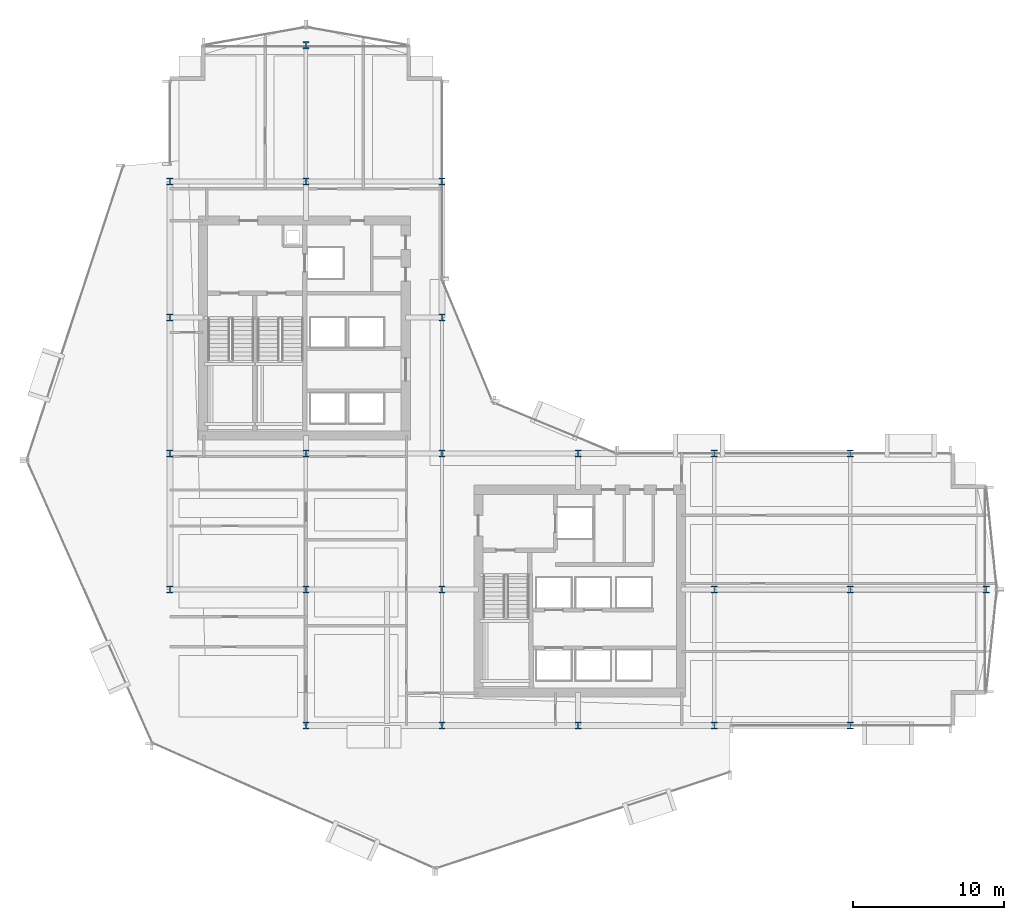
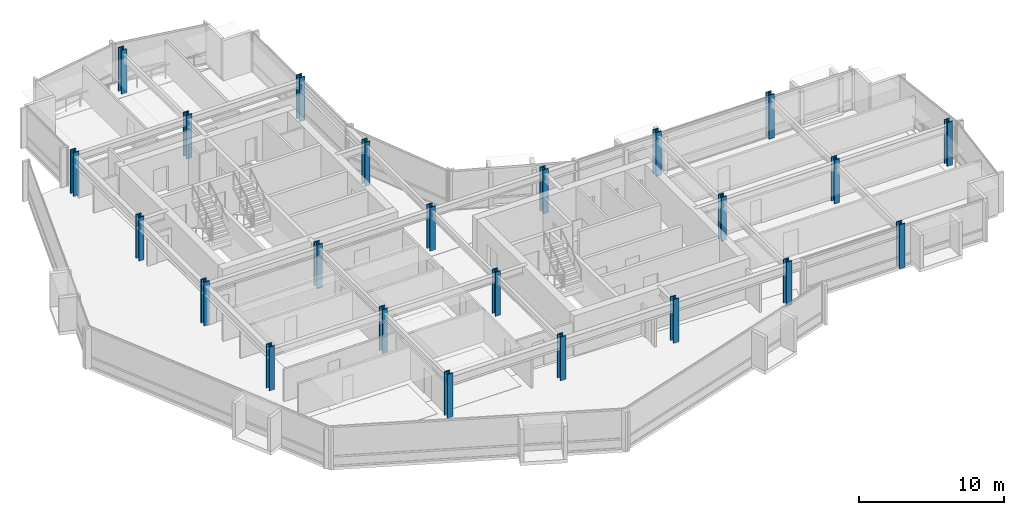
# One storey, part 1 of 35: 23 columns.
"""IFC4 building model written with IfcOpenShell, lengths in metres."""

from ifc_helpers import new_model, si_unit, direction, frame, origin, origin_2d, place, context, subcontext, project, spatial, i_section, extrude, material, material_profile, profile_set, type_object, element, save


model = new_model("IFC4")

# Units and contexts
model_context = context("Model", 3, precision=1e-05, world=origin(), true_north=direction((0.0, 1.0)))
body_context = subcontext(model_context, "Body", "Model", "MODEL_VIEW")
ifc_project = project(units=[si_unit("LENGTHUNIT", "METRE"), si_unit("AREAUNIT", "SQUARE_METRE"), si_unit("VOLUMEUNIT", "CUBIC_METRE"), si_unit("PLANEANGLEUNIT", "RADIAN"), si_unit("MASSUNIT", "GRAM", prefix="KILO")], contexts=[model_context])

# Site, building, storey
site_placement = place(None, origin())
site = spatial("IfcSite", under=ifc_project, at=site_placement, CompositionType="ELEMENT")
building_placement = place(site_placement, origin())
building = spatial("IfcBuilding", under=site, at=building_placement, Name="Solvaryn Broadcast Tower", CompositionType="ELEMENT")
storey_placement = place(building_placement, frame((0.0, 0.0, 80.39990234375)))
storey = spatial("IfcBuildingStorey", under=building, at=storey_placement, Name="L19", CompositionType="ELEMENT", Elevation=80.39990234375)

# Columns
ifc_material_1 = material(Name="Steel ASTM A913 Grade 65", Category="steel")
ifc_material_profile_1 = material_profile(ifc_material_1, i_section(OverallWidth=0.424072265625, OverallDepth=0.47412109375, WebThickness=0.047607421875, FlangeThickness=0.0771484375, FilletRadius=0.014892578125, at=origin_2d()))
ifc_profile_set_1 = profile_set([ifc_material_profile_1], Name="Steel ASTM A913 Grade 65")
column_type_1 = type_object("IfcColumnType", Name="COL-C04E-W14X426", PredefinedType="COLUMN", material=ifc_profile_set_1)
for number, where, z_axis, x_axis, name in (
    (1, (9.0, 18.0, 0.0), (0.0, 0.0, 1.0), (1.0, 0.0, 0.0), "L19 Column (9.0, 18.0)"),
    (2, (9.0, 27.0, 0.0), (0.0, 0.0, 1.0), (1.0, 0.0, 0.0), "L19 Column (9.0, 27.0)"),
    (3, (9.0, 36.0, 0.0), (0.0, 0.0, 1.0), (1.0, 0.0, 0.0), "L19 Column (9.0, 36.0)"),
    (4, (9.0, 45.0, 0.0), (0.0, 0.0, 1.0), (1.0, 0.0, 0.0), "L19 Column (9.0, 45.0)"),
    (5, (18.0, 9.0, 0.0), (0.0, 0.0, 1.0), (1.0, 0.0, 0.0), "L19 Column (18.0, 9.0)"),
    (6, (18.0, 54.0, 0.0), (0.0, 0.0, 1.0), (1.0, 0.0, 0.0), "L19 Column (18.0, 54.0)"),
    (7, (27.0, 9.0, 0.0), (0.0, 0.0, 1.0), (1.0, 0.0, 0.0), "L19 Column (27.0, 9.0)"),
    (8, (27.0, 36.0, 0.0), (0.0, 0.0, 1.0), (1.0, 0.0, 0.0), "L19 Column (27.0, 36.0)"),
    (9, (27.0, 45.0, 0.0), (0.0, 0.0, 1.0), (1.0, 0.0, 0.0), "L19 Column (27.0, 45.0)"),
    (10, (36.0, 9.0, 0.0), (0.0, 0.0, 1.0), (1.0, 0.0, 0.0), "L19 Column (36.0, 9.0)"),
    (11, (36.0, 27.0, 0.0), (0.0, 0.0, 1.0), (1.0, 0.0, 0.0), "L19 Column (36.0, 27.0)"),
    (12, (45.0, 9.0, 0.0), (0.0, 0.0, 1.0), (1.0, 0.0, 0.0), "L19 Column (45.0, 9.0)"),
    (13, (45.0, 27.0, 0.0), (0.0, 0.0, 1.0), (1.0, 0.0, 0.0), "L19 Column (45.0, 27.0)"),
    (14, (54.0, 9.0, 0.0), (0.0, 0.0, 1.0), (1.0, 0.0, 0.0), "L19 Column (54.0, 9.0)"),
    (15, (54.0, 27.0, 0.0), (0.0, 0.0, 1.0), (1.0, 0.0, 0.0), "L19 Column (54.0, 27.0)"),
    (16, (63.0, 18.0, 0.0), (0.0, 0.0, 1.0), (1.0, 0.0, 0.0), "L19 Column (63.0, 18.0)"),
):
    element("IfcColumn", number, at=place(storey_placement, frame(where, z_axis=z_axis, x_axis=x_axis)), inside=storey, type_object=column_type_1, Name=name, PredefinedType="COLUMN", context=body_context, shape_type="SweptSolid", body=[
        extrude(i_section(OverallWidth=0.424072265625, OverallDepth=0.47412109375, WebThickness=0.047607421875, FlangeThickness=0.0771484375, FilletRadius=0.014892578125, at=origin_2d()), origin(), (0.0, 0.0, 1.0), 3.7001953125),
    ])
ifc_material_2 = material(Name="Steel ASTM A913 Grade 65", Category="steel")
ifc_material_profile_2 = material_profile(ifc_material_2, i_section(OverallWidth=0.424072265625, OverallDepth=0.47412109375, WebThickness=0.047607421875, FlangeThickness=0.0771484375, FilletRadius=0.014892578125, at=origin_2d()))
ifc_profile_set_2 = profile_set([ifc_material_profile_2], Name="Steel ASTM A913 Grade 65")
column_type_2 = type_object("IfcColumnType", Name="COL-C04I-W14X426", PredefinedType="COLUMN", material=ifc_profile_set_2)
for number, where, z_axis, x_axis, name in (
    (17, (18.0, 18.0, 0.0), (0.0, 0.0, 1.0), (1.0, 0.0, 0.0), "L19 Column (18.0, 18.0)"),
    (18, (18.0, 27.0, 0.0), (0.0, 0.0, 1.0), (1.0, 0.0, 0.0), "L19 Column (18.0, 27.0)"),
    (19, (18.0, 45.0, 0.0), (0.0, 0.0, 1.0), (1.0, 0.0, 0.0), "L19 Column (18.0, 45.0)"),
    (20, (27.0, 18.0, 0.0), (0.0, 0.0, 1.0), (1.0, 0.0, 0.0), "L19 Column (27.0, 18.0)"),
    (21, (27.0, 27.0, 0.0), (0.0, 0.0, 1.0), (1.0, 0.0, 0.0), "L19 Column (27.0, 27.0)"),
    (22, (45.0, 18.0, 0.0), (0.0, 0.0, 1.0), (1.0, 0.0, 0.0), "L19 Column (45.0, 18.0)"),
    (23, (54.0, 18.0, 0.0), (0.0, 0.0, 1.0), (1.0, 0.0, 0.0), "L19 Column (54.0, 18.0)"),
):
    element("IfcColumn", number, at=place(storey_placement, frame(where, z_axis=z_axis, x_axis=x_axis)), inside=storey, type_object=column_type_2, Name=name, PredefinedType="COLUMN", context=body_context, shape_type="SweptSolid", body=[
        extrude(i_section(OverallWidth=0.424072265625, OverallDepth=0.47412109375, WebThickness=0.047607421875, FlangeThickness=0.0771484375, FilletRadius=0.014892578125, at=origin_2d()), origin(), (0.0, 0.0, 1.0), 3.7001953125),
    ])

save(model, "model.ifc")
